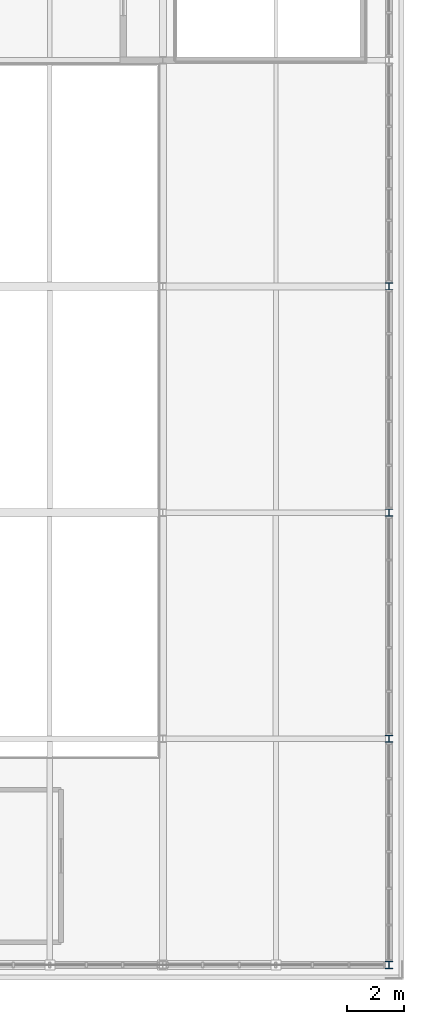
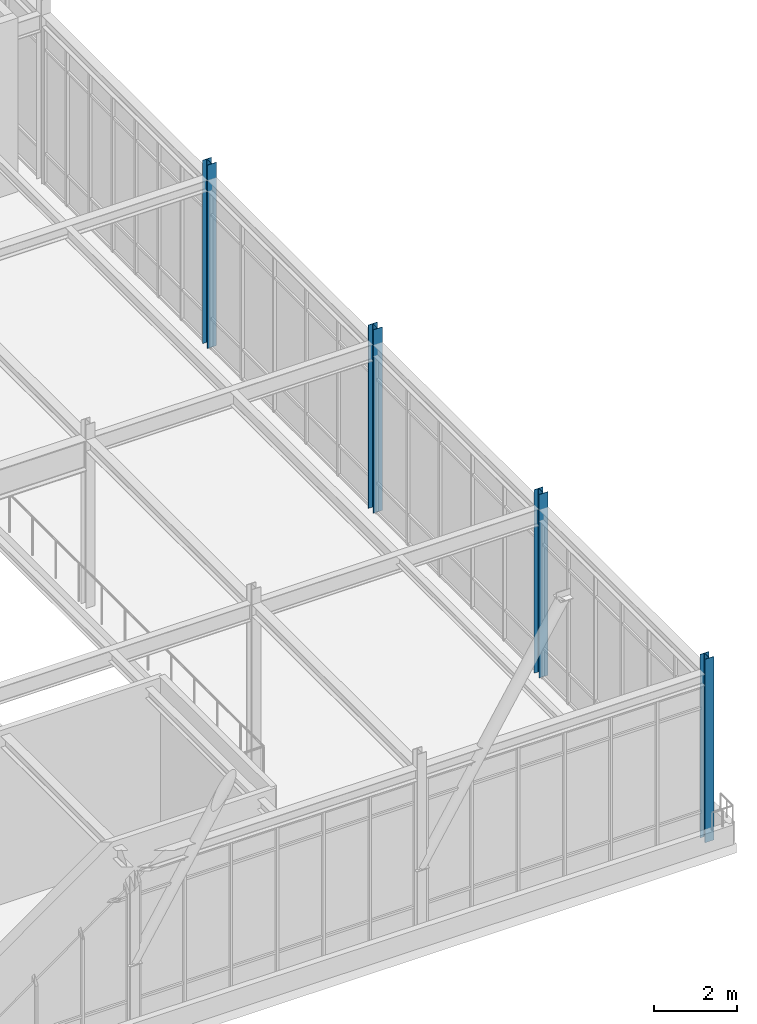
# One storey, part 18 of 108: 4 columns.
"""IFC4 building model written with IfcOpenShell, lengths in metres."""

from ifc_helpers import new_model, si_unit, direction, frame, origin, origin_2d, place, context, subcontext, project, spatial, i_section, extrude, material, material_profile, profile_set, type_object, element, save


model = new_model("IFC4")

# Units and contexts
model_context = context("Model", 3, precision=1e-05, world=origin(), true_north=direction((0.0, 1.0)))
body_context = subcontext(model_context, "Body", "Model", "MODEL_VIEW")
ifc_project = project(units=[si_unit("LENGTHUNIT", "METRE"), si_unit("AREAUNIT", "SQUARE_METRE"), si_unit("VOLUMEUNIT", "CUBIC_METRE"), si_unit("PLANEANGLEUNIT", "RADIAN"), si_unit("MASSUNIT", "GRAM", prefix="KILO")], contexts=[model_context])

# Site, building, storey
site_placement = place(None, origin())
site = spatial("IfcSite", under=ifc_project, at=site_placement, CompositionType="ELEMENT")
building_placement = place(site_placement, origin())
building = spatial("IfcBuilding", under=site, at=building_placement, Name="Zhaolan Boulevard Law Courts", CompositionType="ELEMENT")
storey_placement = place(building_placement, frame((0.0, 0.0, 10.800048828125)))
storey = spatial("IfcBuildingStorey", under=building, at=storey_placement, Name="L02", CompositionType="ELEMENT", Elevation=10.800048828125)

# Columns
ifc_material = material(Name="Structural steel Q355B", Category="steel")
ifc_material_profile = material_profile(ifc_material, i_section(OverallWidth=0.25, OverallDepth=0.25, WebThickness=0.009033203125, FlangeThickness=0.013916015625, FilletRadius=0.01611328125, at=origin_2d()), Name="HW250x250")
ifc_profile_set = profile_set([ifc_material_profile], Name="Structural steel Q355B")
column_type = type_object("IfcColumnType", Name="COL HW250", PredefinedType="COLUMN", material=ifc_profile_set)
for number, where, z_axis, x_axis, name in (
    (1, (164.0, 6.0, 0.0), (0.0, 0.0, 1.0), (1.0, 0.0, 0.0), "Column C-21B (L02)"),
    (2, (164.0, 14.0, 0.0), (0.0, 0.0, 1.0), (1.0, 0.0, 0.0), "Column C-21C (L02)"),
    (3, (164.0, 22.0, 0.0), (0.0, 0.0, 1.0), (1.0, 0.0, 0.0), "Column C-21D (L02)"),
    (4, (164.0, 30.0, 0.0), (0.0, 0.0, 1.0), (1.0, 0.0, 0.0), "Column C-21E (L02)"),
):
    element("IfcColumn", number, at=place(storey_placement, frame(where, z_axis=z_axis, x_axis=x_axis)), inside=storey, type_object=column_type, Name=name, PredefinedType="COLUMN", context=body_context, shape_type="SweptSolid", body=[
        extrude(i_section(OverallWidth=0.25, OverallDepth=0.25, WebThickness=0.009033203125, FlangeThickness=0.013916015625, FilletRadius=0.01611328125, at=origin_2d()), origin(), (0.0, 0.0, 1.0), 5.39990234375),
    ])

save(model, "model.ifc")
